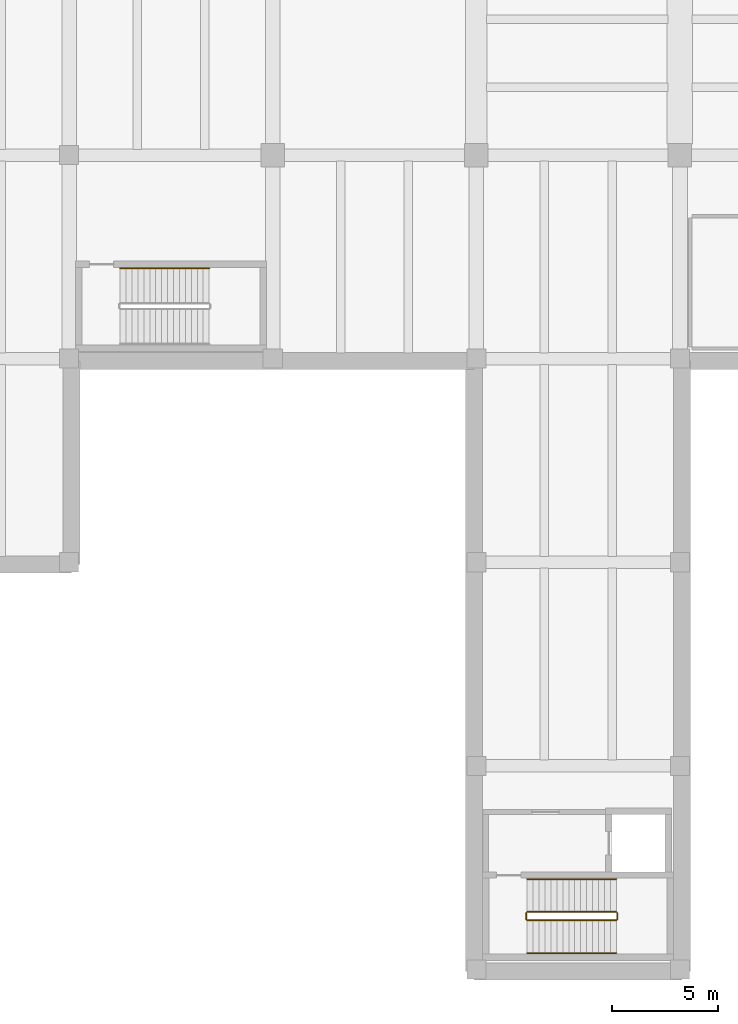
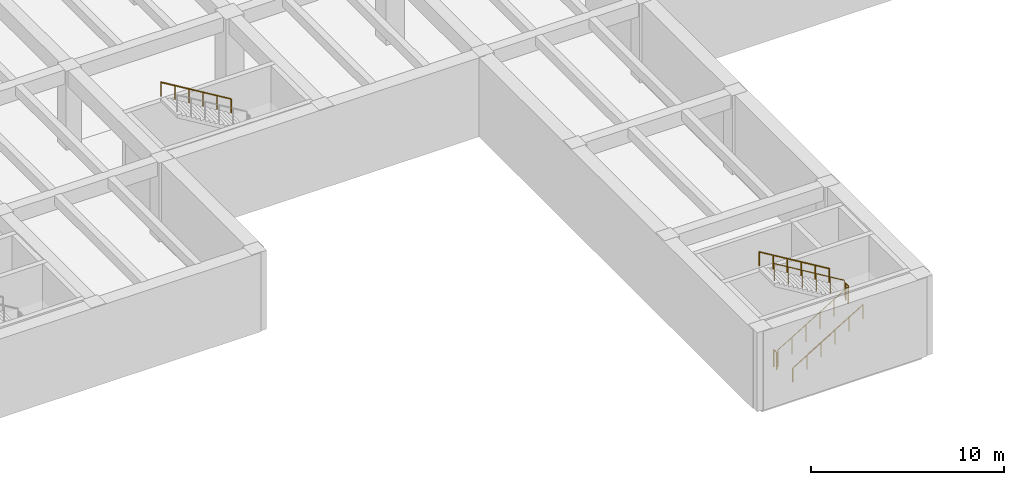
# One storey, part 13 of 19: 7 railings.
"""IFC4 building model written with IfcOpenShell, lengths in metres."""

from ifc_helpers import new_model, si_unit, direction, frame, origin, origin_2d, place, context, subcontext, project, spatial, circle, extrude, material, type_object, element, save


model = new_model("IFC4")

# Units and contexts
model_context = context("Model", 3, precision=1e-05, world=origin(), true_north=direction((0.0, 1.0)))
body_context = subcontext(model_context, "Body", "Model", "MODEL_VIEW")
ifc_project = project(units=[si_unit("LENGTHUNIT", "METRE"), si_unit("AREAUNIT", "SQUARE_METRE"), si_unit("VOLUMEUNIT", "CUBIC_METRE"), si_unit("PLANEANGLEUNIT", "RADIAN"), si_unit("MASSUNIT", "GRAM", prefix="KILO")], contexts=[model_context])

# Site, building, storey
site_placement = place(None, origin())
site = spatial("IfcSite", under=ifc_project, at=site_placement, CompositionType="ELEMENT")
building_placement = place(site_placement, origin())
building = spatial("IfcBuilding", under=site, at=building_placement, Name="Coralgate Yard Interchange", CompositionType="ELEMENT")
storey_placement = place(building_placement, frame((0.0, 0.0, -5.39990234375)))
storey = spatial("IfcBuildingStorey", under=building, at=storey_placement, Name="B1", CompositionType="ELEMENT", Elevation=-5.39990234375)

# Railings
ifc_material_1 = material(Name="Grade 316 marine stainless steel and toughened glass balustrade", Category="steel")
railing_type_1 = type_object("IfcRailingType", Name="RLG-GD1100", PredefinedType="BALUSTRADE", material=ifc_material_1)
railing_1_placement = place(storey_placement, frame((50.39990234375, 11.919921875, 0.168701171875)))
element("IfcRailing", 1, at=railing_1_placement, inside=storey, type_object=railing_type_1, Name="B1 ST-02 stair guard 1", PredefinedType="BALUSTRADE", context=body_context, shape_type="SweptSolid", body=[
    extrude(circle(Radius=0.02392578125, at=origin_2d()), frame((0.0, 0.0, 1.076171875), z_axis=(0.856489757249, 0.0, 0.516164020179), x_axis=(0.0, 1.0, 0.0)), (0.0, 0.0, 1.0), 4.904052734375),
    extrude(circle(Radius=0.02099609375, at=origin_2d()), origin(), (0.0, 0.0, 1.0), 1.051513671875),
    extrude(circle(Radius=0.02099609375, at=origin_2d()), frame((0.840087890625, 0.0, 0.50634765625)), (0.0, 0.0, 1.0), 1.051513671875),
    extrude(circle(Radius=0.02099609375, at=origin_2d()), frame((1.68017578125, 0.0, 1.012451171875)), (0.0, 0.0, 1.0), 1.051513671875),
    extrude(circle(Radius=0.02099609375, at=origin_2d()), frame((2.52001953125, 0.0, 1.518798828125)), (0.0, 0.0, 1.0), 1.051513671875),
    extrude(circle(Radius=0.02099609375, at=origin_2d()), frame((3.360107421875, 0.0, 2.02490234375)), (0.0, 0.0, 1.0), 1.051513671875),
    extrude(circle(Radius=0.02099609375, at=origin_2d()), frame((4.2001953125, 0.0, 2.53125)), (0.0, 0.0, 1.0), 1.051513671875),
])
railing_2_placement = place(storey_placement, frame((54.64990234375, 11.969970703125, 2.699951171875)))
element("IfcRailing", 2, at=railing_2_placement, inside=storey, type_object=railing_type_1, Name="B1 ST-02 stair guard 2", PredefinedType="BALUSTRADE", context=body_context, shape_type="SweptSolid", body=[
    extrude(circle(Radius=0.02392578125, at=origin_2d()), frame((0.0, 0.0, 1.076171875), z_axis=(0.0, 1.0, 0.0), x_axis=(-1.0, 0.0, 0.0)), (0.0, 0.0, 1.0), 0.2900390625),
    extrude(circle(Radius=0.02099609375, at=origin_2d()), origin(), (0.0, 0.0, 1.0), 1.051513671875),
    extrude(circle(Radius=0.02099609375, at=origin_2d()), frame((0.0, 0.2900390625, 0.0)), (0.0, 0.0, 1.0), 1.051513671875),
])
railing_3_placement = place(storey_placement, frame((54.60009765625, 12.31005859375, 2.86865234375)))
element("IfcRailing", 3, at=railing_3_placement, inside=storey, type_object=railing_type_1, Name="B1 ST-02 stair guard 3", PredefinedType="BALUSTRADE", context=body_context, shape_type="SweptSolid", body=[
    extrude(circle(Radius=0.02392578125, at=origin_2d()), frame((0.0, 0.0, 1.076171875), z_axis=(-0.856489757249, 0.0, 0.516164020179), x_axis=(0.0, -1.0, 0.0)), (0.0, 0.0, 1.0), 4.904052734375),
    extrude(circle(Radius=0.02099609375, at=origin_2d()), origin(), (0.0, 0.0, 1.0), 1.051513671875),
    extrude(circle(Radius=0.02099609375, at=origin_2d()), frame((-0.840087890625, 0.0, 0.50634765625)), (0.0, 0.0, 1.0), 1.051513671875),
    extrude(circle(Radius=0.02099609375, at=origin_2d()), frame((-1.68017578125, 0.0, 1.012451171875)), (0.0, 0.0, 1.0), 1.051513671875),
    extrude(circle(Radius=0.02099609375, at=origin_2d()), frame((-2.52001953125, 0.0, 1.518798828125)), (0.0, 0.0, 1.0), 1.051513671875),
    extrude(circle(Radius=0.02099609375, at=origin_2d()), frame((-3.360107421875, 0.0, 2.02490234375)), (0.0, 0.0, 1.0), 1.051513671875),
    extrude(circle(Radius=0.02099609375, at=origin_2d()), frame((-4.2001953125, 0.0, 2.53125)), (0.0, 0.0, 1.0), 1.051513671875),
])
railing_4_placement = place(storey_placement, frame((50.35009765625, 11.969970703125, 0.0)))
element("IfcRailing", 4, at=railing_4_placement, inside=storey, type_object=railing_type_1, Name="B1 ST-02 stair guard 4", PredefinedType="BALUSTRADE", context=body_context, shape_type="SweptSolid", body=[
    extrude(circle(Radius=0.02392578125, at=origin_2d()), frame((0.0, 0.0, 1.076171875), z_axis=(0.0, 1.0, 0.0), x_axis=(-1.0, 0.0, 0.0)), (0.0, 0.0, 1.0), 0.2900390625),
    extrude(circle(Radius=0.02099609375, at=origin_2d()), origin(), (0.0, 0.0, 1.0), 1.051513671875),
    extrude(circle(Radius=0.02099609375, at=origin_2d()), frame((0.0, 0.2900390625, 0.0)), (0.0, 0.0, 1.0), 1.051513671875),
])
ifc_material_2 = material(Name="Grade 316 marine stainless steel", Category="steel")
railing_type_2 = type_object("IfcRailingType", Name="RLG-HR900", PredefinedType="HANDRAIL", material=ifc_material_2)
railing_5_placement = place(storey_placement, frame((35.39990234375, 42.659912109375, 2.86865234375)))
element("IfcRailing", 5, at=railing_5_placement, inside=storey, type_object=railing_type_2, Name="B1 ST-12 stair handrail 2", PredefinedType="HANDRAIL", context=body_context, shape_type="SweptSolid", body=[
    extrude(circle(Radius=0.02392578125, at=origin_2d()), frame((0.0, 0.0, 0.8759765625), z_axis=(-0.856476492594, 0.0, 0.516186030065), x_axis=(0.0, -1.0, 0.0)), (0.0, 0.0, 1.0), 4.90380859375),
    extrude(circle(Radius=0.02099609375, at=origin_2d()), origin(), (0.0, 0.0, 1.0), 0.851318359375),
    extrude(circle(Radius=0.02099609375, at=origin_2d()), frame((-0.840087890625, 0.0, 0.50634765625)), (0.0, 0.0, 1.0), 0.851318359375),
    extrude(circle(Radius=0.02099609375, at=origin_2d()), frame((-1.679931640625, 0.0, 1.012451171875)), (0.0, 0.0, 1.0), 0.851318359375),
    extrude(circle(Radius=0.02099609375, at=origin_2d()), frame((-2.52001953125, 0.0, 1.518798828125)), (0.0, 0.0, 1.0), 0.851318359375),
    extrude(circle(Radius=0.02099609375, at=origin_2d()), frame((-3.35986328125, 0.0, 2.02490234375)), (0.0, 0.0, 1.0), 0.851318359375),
    extrude(circle(Radius=0.02099609375, at=origin_2d()), frame((-4.199951171875, 0.0, 2.53125)), (0.0, 0.0, 1.0), 0.851318359375),
])
railing_6_placement = place(storey_placement, frame((50.39990234375, 10.3701171875, 0.168701171875)))
element("IfcRailing", 6, at=railing_6_placement, inside=storey, type_object=railing_type_2, Name="B1 ST-02 stair handrail 1", PredefinedType="HANDRAIL", context=body_context, shape_type="SweptSolid", body=[
    extrude(circle(Radius=0.02392578125, at=origin_2d()), frame((0.0, 0.0, 0.8759765625), z_axis=(0.856489757249, 0.0, 0.516164020179), x_axis=(0.0, 1.0, 0.0)), (0.0, 0.0, 1.0), 4.904052734375),
    extrude(circle(Radius=0.02099609375, at=origin_2d()), origin(), (0.0, 0.0, 1.0), 0.851318359375),
    extrude(circle(Radius=0.02099609375, at=origin_2d()), frame((0.840087890625, 0.0, 0.50634765625)), (0.0, 0.0, 1.0), 0.851318359375),
    extrude(circle(Radius=0.02099609375, at=origin_2d()), frame((1.68017578125, 0.0, 1.012451171875)), (0.0, 0.0, 1.0), 0.851318359375),
    extrude(circle(Radius=0.02099609375, at=origin_2d()), frame((2.52001953125, 0.0, 1.518798828125)), (0.0, 0.0, 1.0), 0.851318359375),
    extrude(circle(Radius=0.02099609375, at=origin_2d()), frame((3.360107421875, 0.0, 2.02490234375)), (0.0, 0.0, 1.0), 0.851318359375),
    extrude(circle(Radius=0.02099609375, at=origin_2d()), frame((4.2001953125, 0.0, 2.53125)), (0.0, 0.0, 1.0), 0.851318359375),
])
railing_7_placement = place(storey_placement, frame((54.60009765625, 13.860107421875, 2.86865234375)))
element("IfcRailing", 7, at=railing_7_placement, inside=storey, type_object=railing_type_2, Name="B1 ST-02 stair handrail 2", PredefinedType="HANDRAIL", context=body_context, shape_type="SweptSolid", body=[
    extrude(circle(Radius=0.02392578125, at=origin_2d()), frame((0.0, 0.0, 0.8759765625), z_axis=(-0.856489757249, 0.0, 0.516164020179), x_axis=(0.0, -1.0, 0.0)), (0.0, 0.0, 1.0), 4.904052734375),
    extrude(circle(Radius=0.02099609375, at=origin_2d()), origin(), (0.0, 0.0, 1.0), 0.851318359375),
    extrude(circle(Radius=0.02099609375, at=origin_2d()), frame((-0.840087890625, 0.0, 0.50634765625)), (0.0, 0.0, 1.0), 0.851318359375),
    extrude(circle(Radius=0.02099609375, at=origin_2d()), frame((-1.68017578125, 0.0, 1.012451171875)), (0.0, 0.0, 1.0), 0.851318359375),
    extrude(circle(Radius=0.02099609375, at=origin_2d()), frame((-2.52001953125, 0.0, 1.518798828125)), (0.0, 0.0, 1.0), 0.851318359375),
    extrude(circle(Radius=0.02099609375, at=origin_2d()), frame((-3.360107421875, 0.0, 2.02490234375)), (0.0, 0.0, 1.0), 0.851318359375),
    extrude(circle(Radius=0.02099609375, at=origin_2d()), frame((-4.2001953125, 0.0, 2.53125)), (0.0, 0.0, 1.0), 0.851318359375),
])

save(model, "model.ifc")
